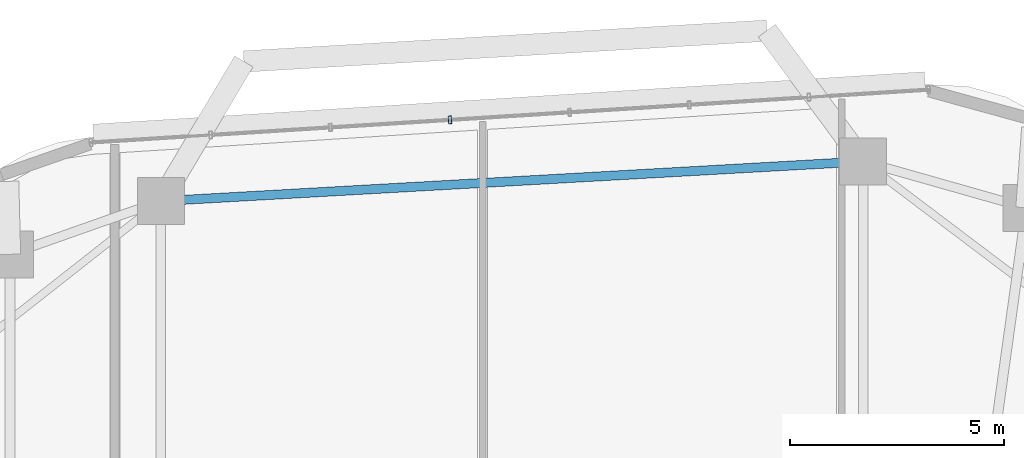
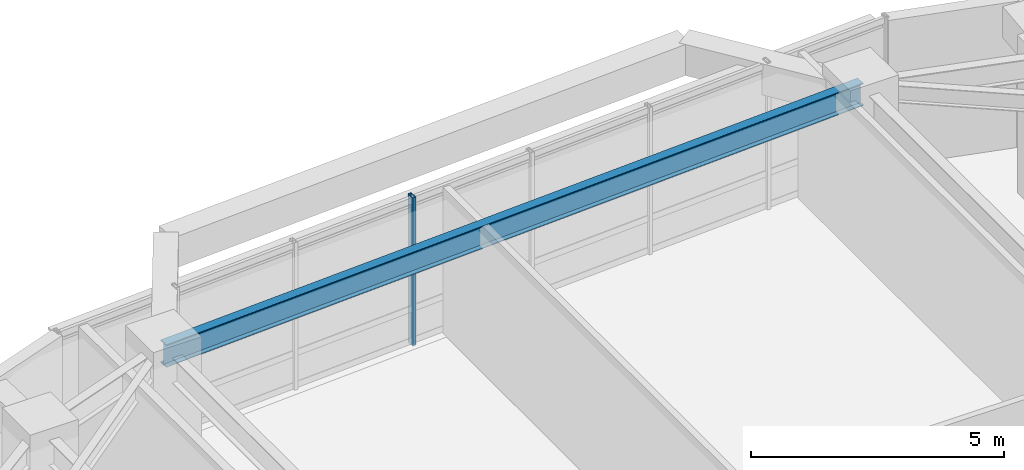
# One storey, part 3 of 13: 1 beam, 1 member, 1 element without a shape of its own.
"""IFC4 building model written with IfcOpenShell, lengths in metres."""

import ifcopenshell
import ifcopenshell.guid

model = None  # the IFC model being written
_history = None  # IfcOwnerHistory: only IFC2X3 demands one
_inside = {}  # id of a spatial element -> (the spatial element, [elements in it])
_under = {}  # id of a project, library or spatial element -> (it, [spatial elements below it])
_declared = {}  # id of a project -> (the project, [libraries it declares])
_typed = {}  # id of a type object -> (the type object, [elements of that type])
_made_of = {}  # id of a material, layer set ... -> (it, [elements and type objects made of it])


def new_model(schema):
    """Start an empty IFC model of exactly this schema.

    Asked for "IFC4X3", IfcOpenShell would pick the latest addendum, in which some entities
    have other attributes; the version numbers below select the first issue.
    IFC2X3 requires an IfcOwnerHistory on every rooted entity: one is made here for all.
    """
    global model, _history
    if schema == "IFC4X3":
        model = ifcopenshell.file(schema_version=(4, 3, 0, 0))
    else:
        model = ifcopenshell.file(schema=schema)
    _inside.clear()
    _under.clear()
    _declared.clear()
    _typed.clear()
    _made_of.clear()
    _history = None
    if model.schema == "IFC2X3":
        org = make("IfcOrganization", Name="unknown")
        user = make(
            "IfcPersonAndOrganization",
            ThePerson=make("IfcPerson", FamilyName="unknown"),
            TheOrganization=org,
        )
        app = make(
            "IfcApplication",
            ApplicationDeveloper=org,
            Version="unknown",
            ApplicationFullName="unknown",
            ApplicationIdentifier="unknown",
        )
        _history = make(
            "IfcOwnerHistory",
            OwningUser=user,
            OwningApplication=app,
            ChangeAction="ADDED",
            CreationDate=0,
        )
    return model


def make(cls, **values):
    """One entity of the class cls with the attributes given. An attribute that is None is left unset."""
    return model.create_entity(
        cls, **{name: value for name, value in values.items() if value is not None}
    )


def rooted(cls, **values):
    """An entity with a GlobalId (a new one), such as an element, a storey or a relation."""
    return make(cls, GlobalId=ifcopenshell.guid.new(), OwnerHistory=_history, **values)


def si_unit(unit_type, name, prefix=None):
    """IfcSIUnit, for example si_unit("LENGTHUNIT", "METRE", prefix="MILLI")."""
    return make("IfcSIUnit", UnitType=unit_type, Prefix=prefix, Name=name)


def assignment(units):
    """IfcUnitAssignment: the units of a project."""
    return None if units is None else make("IfcUnitAssignment", Units=units)


def point(xyz):
    """IfcCartesianPoint."""
    return None if xyz is None else make("IfcCartesianPoint", Coordinates=xyz)


def direction(xyz):
    """IfcDirection."""
    return None if xyz is None else make("IfcDirection", DirectionRatios=xyz)


def frame(location, z_axis=None, x_axis=None):
    """IfcAxis2Placement3D, a coordinate frame: its origin and axes. An axis left out is left unset."""
    return make(
        "IfcAxis2Placement3D",
        Location=point(location),
        Axis=direction(z_axis),
        RefDirection=direction(x_axis),
    )


def frame_2d(location, x_axis=None):
    """IfcAxis2Placement2D, a coordinate frame in the plane: its origin and x axis."""
    return make(
        "IfcAxis2Placement2D", Location=point(location), RefDirection=direction(x_axis)
    )


def origin():
    """The frame at (0, 0, 0) with its axes left unset."""
    return frame((0.0, 0.0, 0.0))


def origin_2d():
    """The frame at (0, 0) in the plane with its x axis left unset."""
    return frame_2d((0.0, 0.0))


def place(relative_to, where):
    """IfcLocalPlacement: puts the frame where relative to a parent placement (None: the world)."""
    return make(
        "IfcLocalPlacement", PlacementRelTo=relative_to, RelativePlacement=where
    )


def context(
    kind, dimensions, precision=None, world=None, true_north=None, identifier=None
):
    """IfcGeometricRepresentationContext, for example the 3D "Model" context."""
    return make(
        "IfcGeometricRepresentationContext",
        ContextIdentifier=identifier,
        ContextType=kind,
        CoordinateSpaceDimension=dimensions,
        Precision=precision,
        WorldCoordinateSystem=world,
        TrueNorth=true_north,
    )


def subcontext(parent, identifier, kind, view, scale=None):
    """IfcGeometricRepresentationSubContext, for example "Body" below "Model"."""
    return make(
        "IfcGeometricRepresentationSubContext",
        ContextIdentifier=identifier,
        ContextType=kind,
        ParentContext=parent,
        TargetScale=scale,
        TargetView=view,
    )


def project(units=None, contexts=None):
    """IfcProject with its units and contexts."""
    return rooted(
        "IfcProject",
        Name="project",
        RepresentationContexts=contexts,
        UnitsInContext=assignment(units),
    )


def spatial(cls, under=None, at=None, **own):
    """A site, building, storey or space (cls), placed at a placement, below another one or the project."""
    s = rooted(cls, ObjectPlacement=at, **own)
    if under is not None:
        _under.setdefault(under.id(), (under, []))[1].append(s)
    return s


def profile(cls, at=None, kind="AREA", **sizes):
    """A parametric profile (cls). Its sizes go by their IFC names, for example OverallWidth=200.0."""
    return make(cls, ProfileType=kind, Position=at, **sizes)


def hollow_rectangle(**sizes):
    """IfcRectangleHollowProfileDef."""
    return profile("IfcRectangleHollowProfileDef", **sizes)


def i_section(**sizes):
    """IfcIShapeProfileDef."""
    return profile("IfcIShapeProfileDef", **sizes)


def extrude(swept, where, along, depth):
    """IfcExtrudedAreaSolid: the profile swept, set in the frame where, extruded along a direction by depth."""
    return make(
        "IfcExtrudedAreaSolid",
        SweptArea=swept,
        Position=where,
        ExtrudedDirection=direction(along),
        Depth=depth,
    )


def shape(context_of_items, identifier, shape_type, items):
    """IfcShapeRepresentation: the items that make up one representation, for example the "Body"."""
    return make(
        "IfcShapeRepresentation",
        ContextOfItems=context_of_items,
        RepresentationIdentifier=identifier,
        RepresentationType=shape_type,
        Items=items,
    )


def material(Name=None, Category=None):
    """IfcMaterial."""
    return make("IfcMaterial", Name=Name, Category=Category)


def material_profile(
    of_material, cross_section, Name=None, Category=None, Priority=None
):
    """IfcMaterialProfile: a cross section and its material."""
    return make(
        "IfcMaterialProfile",
        Name=Name,
        Material=of_material,
        Profile=cross_section,
        Priority=Priority,
        Category=Category,
    )


def profile_set(profiles, Name=None, composite=None):
    """IfcMaterialProfileSet."""
    return make(
        "IfcMaterialProfileSet",
        Name=Name,
        MaterialProfiles=profiles,
        CompositeProfile=composite,
    )


def made_of(thing, what):
    """Note that an element or type object is made of a material, layer set ...; save() writes the relation."""
    if what is not None:
        _made_of.setdefault(what.id(), (what, []))[1].append(thing)
    return thing


def type_object(cls, material=None, **own):
    """A type object (cls), such as IfcWallType, which elements share."""
    return made_of(rooted(cls, **own), material)


def element(
    cls,
    number,
    at=None,
    inside=None,
    cuts=None,
    type_object=None,
    material=None,
    context=None,
    identifier="Body",
    shape_type=None,
    held_by="IfcProductDefinitionShape",
    body=None,
    shapes=None,
    **own,
):
    """One element of the class cls, such as IfcWall. Its Tag is "e" and its number.

    at: its placement. inside: the storey or other place that contains it. cuts: it is an
    opening in that element (IfcRelVoidsElement). A single representation is given by context,
    identifier, shape_type and body (its items); several are given by shapes. held_by: the class
    of the entity that holds the representations. save() writes the other relations.
    """
    e = rooted(cls, Tag="e%d" % number, ObjectPlacement=at, **own)
    if body is not None:
        shapes = [shape(context, identifier, shape_type, body)]
    if shapes is not None:
        e.Representation = make(held_by, Representations=shapes)
    if inside is not None:
        _inside.setdefault(inside.id(), (inside, []))[1].append(e)
    if cuts is not None:
        rooted(
            "IfcRelVoidsElement", RelatingBuildingElement=cuts, RelatedOpeningElement=e
        )
    if type_object is not None:
        _typed.setdefault(type_object.id(), (type_object, []))[1].append(e)
    return made_of(e, material)


def aggregate(whole, parts):
    """IfcRelAggregates: a whole, such as a stair, and the parts it consists of."""
    return rooted("IfcRelAggregates", RelatingObject=whole, RelatedObjects=parts)


def save(model, path):
    """Write the relations noted so far, then the file.

    IfcRelAggregates (storeys below a building ...), IfcRelContainedInSpatialStructure (elements
    in a storey), IfcRelDefinesByType, IfcRelAssociatesMaterial and IfcRelDeclares: one each for
    every whole, place, type object, material and project.
    """
    for whole, parts in _under.values():
        aggregate(whole, parts)
    for where, things in _inside.values():
        rooted(
            "IfcRelContainedInSpatialStructure",
            RelatedElements=things,
            RelatingStructure=where,
        )
    for kind, things in _typed.values():
        rooted("IfcRelDefinesByType", RelatedObjects=things, RelatingType=kind)
    for what, things in _made_of.values():
        rooted("IfcRelAssociatesMaterial", RelatedObjects=things, RelatingMaterial=what)
    for by, libraries in _declared.values():
        rooted("IfcRelDeclares", RelatingContext=by, RelatedDefinitions=libraries)
    model.write(path)


model = new_model("IFC4")

# Units and contexts
model_context = context("Model", 3, precision=1e-05, world=origin(), true_north=direction((0.0, 1.0)))
body_context = subcontext(model_context, "Body", "Model", "MODEL_VIEW")
ifc_project = project(units=[si_unit("LENGTHUNIT", "METRE"), si_unit("AREAUNIT", "SQUARE_METRE"), si_unit("VOLUMEUNIT", "CUBIC_METRE"), si_unit("PLANEANGLEUNIT", "RADIAN"), si_unit("MASSUNIT", "GRAM", prefix="KILO")], contexts=[model_context])

# Site, building, storey
site_placement = place(None, origin())
site = spatial("IfcSite", under=ifc_project, at=site_placement, CompositionType="ELEMENT")
building_placement = place(site_placement, origin())
building = spatial("IfcBuilding", under=site, at=building_placement, Name="Zulverin Broadcast Headquarters", CompositionType="ELEMENT")
storey_placement = place(building_placement, frame((0.0, 0.0, 101.0)))
storey = spatial("IfcBuildingStorey", under=building, at=storey_placement, Name="L25", CompositionType="ELEMENT", Elevation=101.0)

# Beam
ifc_material_1 = material(Name="Structural steel S355JR", Category="steel")
ifc_material_profile_1 = material_profile(ifc_material_1, i_section(OverallWidth=0.2119140625, OverallDepth=0.54443359375, WebThickness=0.0126953125, FlangeThickness=0.021240234375, at=origin_2d()), Name="Structural steel S355JR", Category="steel")
ifc_profile_set_1 = profile_set([ifc_material_profile_1], Name="Structural steel S355JR")
beam_type = type_object("IfcBeamType", Name="BM-UB-533", PredefinedType="SPANDREL", material=ifc_profile_set_1)
beam_placement = place(storey_placement, frame((46.30224609375, 47.4091796875, 3.252685546875), z_axis=(-0.998411812904, -0.056336949274, 0.0), x_axis=(0.056336949274, -0.998411812904, 0.0)))
element("IfcBeam", 1, at=beam_placement, inside=storey, type_object=beam_type, Name="L25 Perimeter Spandrel Beam SP-09", PredefinedType="SPANDREL", context=body_context, shape_type="SweptSolid", body=[
    extrude(i_section(OverallWidth=0.2119140625, OverallDepth=0.54443359375, WebThickness=0.0126953125, FlangeThickness=0.021240234375, at=origin_2d()), origin(), (0.0, 0.0, 1.0), 16.45458984375),
])

# Curtain wall, member
ifc_material_2 = material(Name="Low-zone ribbon unitised curtain wall", Category="aluminium")
curtain_wall_type = type_object("IfcCurtainWallType", Name="CW-TWR-LOW", PredefinedType="USERDEFINED", material=ifc_material_2)
curtain_wall_placement = place(storey_placement, origin())
curtain_wall = element("IfcCurtainWall", 2, at=curtain_wall_placement, inside=storey, type_object=curtain_wall_type, Name="L25 Unitised Curtain Wall CW-L25-E5", ObjectType="UNITISED CURTAIN WALL", PredefinedType="USERDEFINED")
ifc_material_3 = material(Name="Anodized pale-metal aluminium alloy 6063-T6", Category="aluminium")
ifc_material_profile_2 = material_profile(ifc_material_3, hollow_rectangle(XDim=0.074951171875, YDim=0.179931640625, WallThickness=0.0048828125, at=origin_2d()), Name="Anodized pale-metal aluminium alloy 6063-T6", Category="aluminium")
ifc_profile_set_2 = profile_set([ifc_material_profile_2], Name="Anodized pale-metal aluminium alloy 6063-T6")
member_type = type_object("IfcMemberType", Name="CW-MUL-180", PredefinedType="MULLION", material=ifc_profile_set_2)
member_placement = place(storey_placement, frame((36.635986328125, 48.38330078125, -0.030029296875), z_axis=(0.0, 0.0, 1.0), x_axis=(-0.998017621976, -0.062935095345, 0.0)))
member = element("IfcMember", 3, at=member_placement, type_object=member_type, Name="CW-L25-E5 Mullion 04", PredefinedType="MULLION", context=body_context, shape_type="SweptSolid", body=[
    extrude(hollow_rectangle(XDim=0.074951171875, YDim=0.179931640625, WallThickness=0.0048828125, at=origin_2d()), origin(), (0.0, 0.0, 1.0), 3.5849609375),
])
aggregate(curtain_wall, [member])

save(model, "model.ifc")
